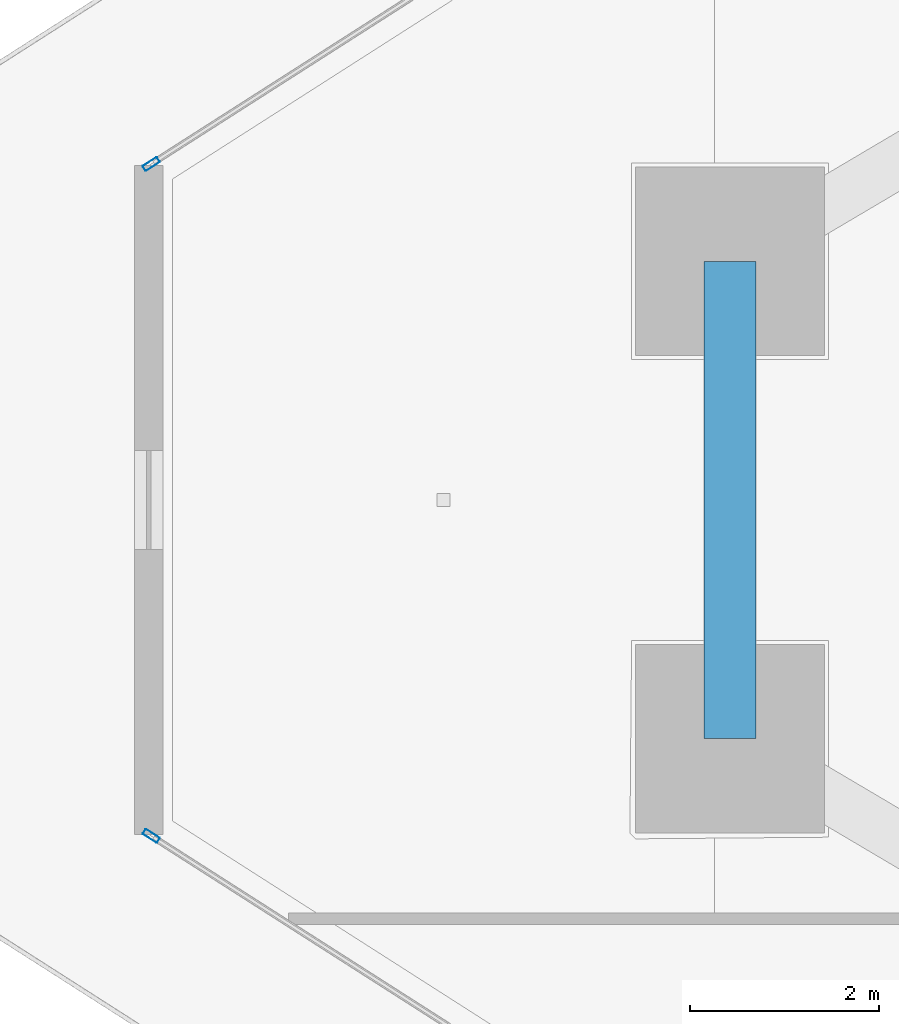
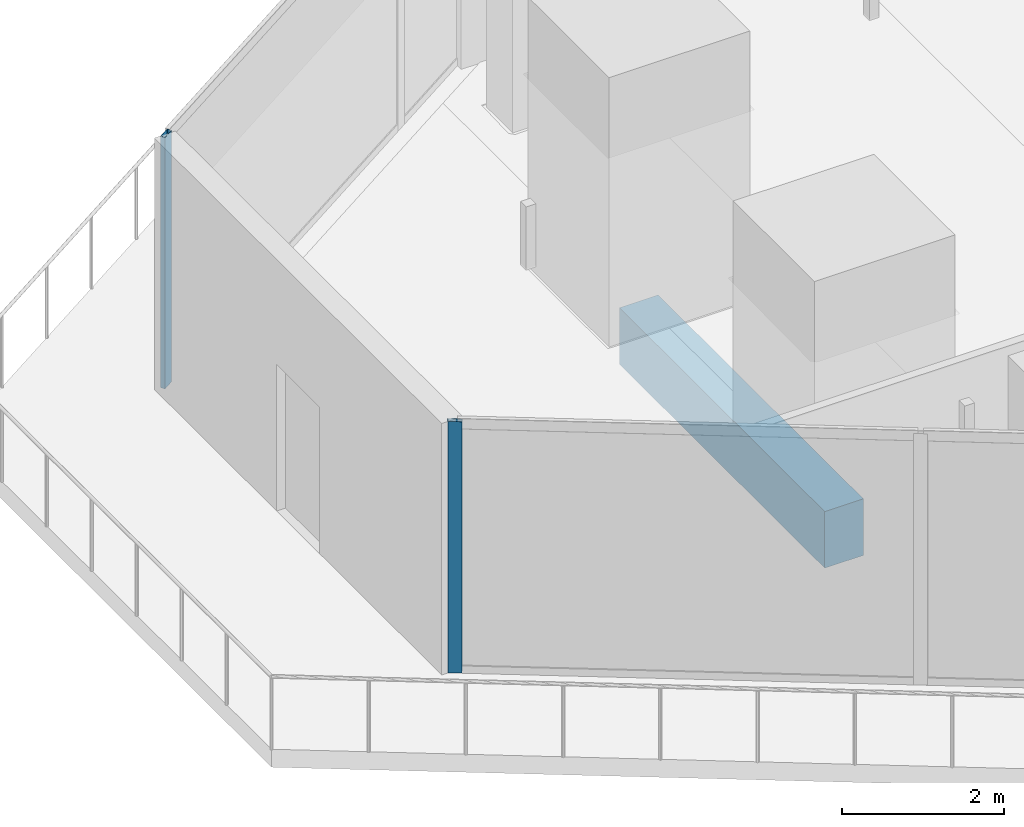
# One storey, part 7 of 37: 2 members, 1 beam, 2 elements without a shape of their own.
"""IFC4 building model written with IfcOpenShell, lengths in metres."""

from ifc_helpers import new_model, si_unit, direction, frame, origin, origin_2d, place, context, subcontext, project, spatial, rectangle, hollow_rectangle, extrude, material, layer, layer_set, material_profile, profile_set, type_object, element, aggregate, save


model = new_model("IFC4")

# Units and contexts
model_context = context("Model", 3, precision=1e-05, world=origin(), true_north=direction((0.0, 1.0)))
body_context = subcontext(model_context, "Body", "Model", "MODEL_VIEW")
ifc_project = project(units=[si_unit("LENGTHUNIT", "METRE"), si_unit("AREAUNIT", "SQUARE_METRE"), si_unit("VOLUMEUNIT", "CUBIC_METRE"), si_unit("PLANEANGLEUNIT", "RADIAN"), si_unit("MASSUNIT", "GRAM", prefix="KILO")], contexts=[model_context])

# Site, building, storey
site_placement = place(None, origin())
site = spatial("IfcSite", under=ifc_project, at=site_placement, CompositionType="ELEMENT")
building_placement = place(site_placement, origin())
building = spatial("IfcBuilding", under=site, at=building_placement, Name="Qorvath Tower", CompositionType="ELEMENT")
storey_placement = place(building_placement, frame((0.0, 0.0, 188.85009765625)))
storey = spatial("IfcBuildingStorey", under=building, at=storey_placement, Name="L43", CompositionType="ELEMENT", Elevation=188.85009765625)

# Beam
ifc_material_1 = material(Name="Concrete C50/60", Category="concrete")
ifc_material_profile_1 = material_profile(ifc_material_1, rectangle(XDim=0.550048828125, YDim=0.85009765625, at=origin_2d()), Name="RCB 850x550")
ifc_profile_set_1 = profile_set([ifc_material_profile_1], Name="Concrete C50/60")
beam_type = type_object("IfcBeamType", Name="BM-RCB2", PredefinedType="SPANDREL", material=ifc_profile_set_1)
beam_placement = place(storey_placement, frame((-49.171875, 2.52783203125, -0.695068359375), z_axis=(0.0, -1.0, 0.0), x_axis=(1.0, 0.0, 0.0)))
element("IfcBeam", 1, at=beam_placement, inside=storey, type_object=beam_type, Name="Perimeter Loggia Frame Beam MC1-MC2 L43", PredefinedType="SPANDREL", context=body_context, shape_type="SweptSolid", body=[
    extrude(rectangle(XDim=0.550048828125, YDim=0.85009765625, at=origin_2d()), origin(), (0.0, 0.0, 1.0), 5.0556640625),
])

# Curtain wall, member
ifc_material_2 = material(Name="Anodised aluminium and triple low-E glass", Category="aluminium")
ifc_layer = layer(ifc_material_2, 0.179931640625)
ifc_layer_set = layer_set([ifc_layer], Name="CW-SYS-3")
curtain_wall_type = type_object("IfcCurtainWallType", Name="CW-SYS-3", PredefinedType="NOTDEFINED", material=ifc_layer_set)
curtain_wall_1_placement = place(storey_placement, origin())
curtain_wall_1 = element("IfcCurtainWall", 2, at=curtain_wall_1_placement, inside=storey, type_object=curtain_wall_type, Name="Curtain Wall CW-3 CW-T-L43-2.1", PredefinedType="NOTDEFINED")
ifc_material_3 = material(Name="Anodised aluminium 6063-T6", Category="aluminium")
ifc_material_profile_2 = material_profile(ifc_material_3, hollow_rectangle(XDim=0.06494140625, YDim=0.179931640625, WallThickness=0.00341796875, InnerFilletRadius=0.00341796875, OuterFilletRadius=0.007080078125, at=origin_2d()), Name="CWM 180x65")
ifc_profile_set_2 = profile_set([ifc_material_profile_2], Name="Anodised aluminium 6063-T6")
member_type = type_object("IfcMemberType", Name="CWM-180", PredefinedType="MULLION", material=ifc_profile_set_2)
member_1_placement = place(storey_placement, frame((-55.300537109375, -3.55712890625, 0.0), z_axis=(0.0, 0.0, 1.0), x_axis=(0.53852951489, 0.842606647014, 0.0)))
member_1 = element("IfcMember", 3, at=member_1_placement, type_object=member_type, Name="CW-3 mullion 1", PredefinedType="MULLION", context=body_context, shape_type="SweptSolid", body=[
    extrude(hollow_rectangle(XDim=0.06494140625, YDim=0.179931640625, WallThickness=0.00341796875, InnerFilletRadius=0.00341796875, OuterFilletRadius=0.007080078125, at=origin_2d()), origin(), (0.0, 0.0, 1.0), 3.77978515625),
])
aggregate(curtain_wall_1, [member_1])

curtain_wall_2_placement = place(storey_placement, origin())
curtain_wall_2 = element("IfcCurtainWall", 4, at=curtain_wall_2_placement, inside=storey, type_object=curtain_wall_type, Name="Curtain Wall CW-3 CW-T-L43-16.3", PredefinedType="NOTDEFINED")
member_2_placement = place(storey_placement, frame((-55.300537109375, 3.55712890625, 0.0), z_axis=(0.0, 0.0, 1.0), x_axis=(0.538528229621, -0.842607468458, 0.0)))
member_2 = element("IfcMember", 5, at=member_2_placement, type_object=member_type, Name="CW-3 mullion 3", PredefinedType="MULLION", context=body_context, shape_type="SweptSolid", body=[
    extrude(hollow_rectangle(XDim=0.06494140625, YDim=0.179931640625, WallThickness=0.00341796875, InnerFilletRadius=0.00341796875, OuterFilletRadius=0.007080078125, at=origin_2d()), origin(), (0.0, 0.0, 1.0), 3.77978515625),
])
aggregate(curtain_wall_2, [member_2])

save(model, "model.ifc")
